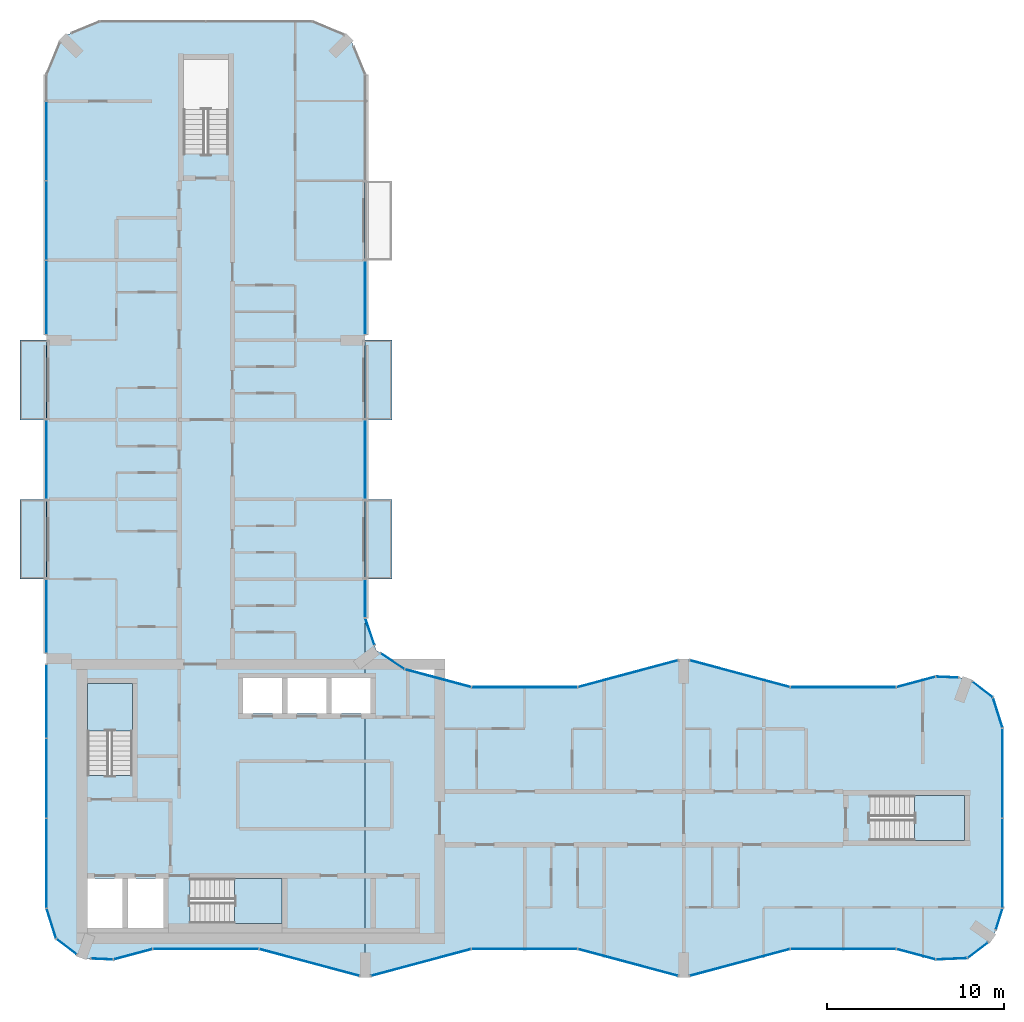
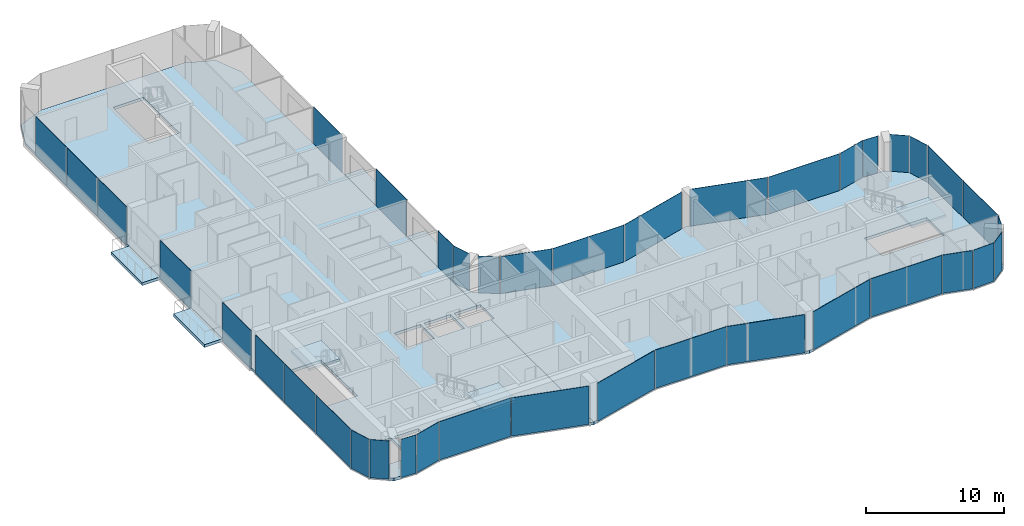
# One storey, part 8 of 17: 39 plates, 9 slabs, 37 elements without a shape of their own.
"""IFC4 building model written with IfcOpenShell, lengths in metres."""

from ifc_helpers import new_model, si_unit, direction, frame, origin, origin_2d, place, context, subcontext, project, spatial, polyline, rectangle, outline, extrude, material, layer, layer_set, type_object, element, aggregate, save


model = new_model("IFC4")

# Units and contexts
model_context = context("Model", 3, precision=1e-05, world=origin(), true_north=direction((0.0, 1.0)))
body_context = subcontext(model_context, "Body", "Model", "MODEL_VIEW")
ifc_project = project(units=[si_unit("LENGTHUNIT", "METRE"), si_unit("AREAUNIT", "SQUARE_METRE"), si_unit("VOLUMEUNIT", "CUBIC_METRE"), si_unit("PLANEANGLEUNIT", "RADIAN"), si_unit("MASSUNIT", "GRAM", prefix="KILO")], contexts=[model_context])

# Site, building, storey
site_placement = place(None, origin())
site = spatial("IfcSite", under=ifc_project, at=site_placement, CompositionType="ELEMENT")
building_placement = place(site_placement, origin())
building = spatial("IfcBuilding", under=site, at=building_placement, Name="Plateau Cross Towers", CompositionType="ELEMENT")
storey_placement = place(building_placement, frame((0.0, 0.0, 146.39990234375)))
storey = spatial("IfcBuildingStorey", under=building, at=storey_placement, Name="L37", CompositionType="ELEMENT", Elevation=146.39990234375)

# Slabs
ifc_material_1 = material(Name="Concrete C40/50", Category="concrete")
ifc_layer_1 = layer(ifc_material_1, 0.25)
ifc_layer_set_1 = layer_set([ifc_layer_1], Name="Concrete C40/50")
slab_type_1 = type_object("IfcSlabType", Name="Balcony slab 250", PredefinedType="FLOOR", material=ifc_layer_set_1)
slab_1_placement = place(storey_placement, frame((0.0, 0.0, -0.25)))
element("IfcSlab", 1, at=slab_1_placement, inside=storey, type_object=slab_type_1, Name="Balcony slab A-BAL-L37-01", PredefinedType="FLOOR", context=body_context, shape_type="SweptSolid", body=[
    extrude(outline(polyline([(0.0, 22.5), (0.0, 27.0), (-1.5, 27.0), (-1.5, 22.5), (0.0, 22.5)])), origin(), (0.0, 0.0, 1.0), 0.25),
])
slab_2_placement = place(storey_placement, frame((0.0, 0.0, -0.25)))
element("IfcSlab", 2, at=slab_2_placement, inside=storey, type_object=slab_type_1, Name="Balcony slab A-BAL-L37-02", PredefinedType="FLOOR", context=body_context, shape_type="SweptSolid", body=[
    extrude(outline(polyline([(0.0, 31.5), (0.0, 36.0), (-1.5, 36.0), (-1.5, 31.5), (0.0, 31.5)])), origin(), (0.0, 0.0, 1.0), 0.25),
])
slab_3_placement = place(storey_placement, frame((0.0, 0.0, -0.25)))
element("IfcSlab", 3, at=slab_3_placement, inside=storey, type_object=slab_type_1, Name="Balcony slab A-BAL-L37-03", PredefinedType="FLOOR", context=body_context, shape_type="SweptSolid", body=[
    extrude(outline(polyline([(19.5, 22.5), (19.5, 27.0), (18.0, 27.0), (18.0, 22.5), (19.5, 22.5)])), origin(), (0.0, 0.0, 1.0), 0.25),
])
slab_4_placement = place(storey_placement, frame((0.0, 0.0, -0.25)))
element("IfcSlab", 4, at=slab_4_placement, inside=storey, type_object=slab_type_1, Name="Balcony slab A-BAL-L37-04", PredefinedType="FLOOR", context=body_context, shape_type="SweptSolid", body=[
    extrude(outline(polyline([(19.5, 31.5), (19.5, 36.0), (18.0, 36.0), (18.0, 31.5), (19.5, 31.5)])), origin(), (0.0, 0.0, 1.0), 0.25),
])

# Curtain wall, plate
ifc_material_2 = material(Name="Dark low-iron glass", Category="glass")
ifc_layer_2 = layer(ifc_material_2, 0.239990234375)
ifc_layer_set_2 = layer_set([ifc_layer_2], Name="Dark low-iron glass")
curtain_wall_type_1 = type_object("IfcCurtainWallType", Name="Curtain wall flush unitised CW-B", PredefinedType="NOTDEFINED", material=ifc_layer_set_2)
curtain_wall_1_placement = place(storey_placement, origin())
curtain_wall_1 = element("IfcCurtainWall", 5, at=curtain_wall_1_placement, inside=storey, type_object=curtain_wall_type_1, Name="ENV/A/L37/A502_10", PredefinedType="NOTDEFINED")
ifc_layer_3 = layer(ifc_material_2, 0.031982421875)
ifc_layer_set_3 = layer_set([ifc_layer_3], Name="Dark low-iron glass")
plate_type_1 = type_object("IfcPlateType", Name="Glass panel 32 flush unitised", PredefinedType="CURTAIN_PANEL", material=ifc_layer_set_3)
plate_1_placement = place(storey_placement, frame((51.125, 1.05078125, -0.1298828125), z_axis=(0.0, 0.0, 1.0), x_axis=(0.999043701491, 0.043722791671, 0.0)))
plate_1 = element("IfcPlate", 6, at=plate_1_placement, type_object=plate_type_1, Name="CW-B panel 1", PredefinedType="CURTAIN_PANEL", context=body_context, shape_type="SweptSolid", body=[
    extrude(rectangle(XDim=1.744140625, YDim=0.031982421875, at=origin_2d()), origin(), (0.0, 0.0, 1.0), 3.3798828125),
])
aggregate(curtain_wall_1, [plate_1])

curtain_wall_2_placement = place(storey_placement, origin())
curtain_wall_2 = element("IfcCurtainWall", 7, at=curtain_wall_2_placement, inside=storey, type_object=curtain_wall_type_1, Name="ENV/A/L37/A520_11", PredefinedType="NOTDEFINED")
plate_2_placement = place(storey_placement, frame((52.60986328125, 1.5380859375, -0.1298828125), z_axis=(0.0, 0.0, 1.0), x_axis=(0.793315514529, 0.608810721331, 0.0)))
plate_2 = element("IfcPlate", 8, at=plate_2_placement, type_object=plate_type_1, Name="CW-B panel 1", PredefinedType="CURTAIN_PANEL", context=body_context, shape_type="SweptSolid", body=[
    extrude(rectangle(XDim=1.41162109375, YDim=0.031982421875, at=origin_2d()), origin(), (0.0, 0.0, 1.0), 3.3798828125),
])
aggregate(curtain_wall_2, [plate_2])

curtain_wall_3_placement = place(storey_placement, origin())
curtain_wall_3 = element("IfcCurtainWall", 9, at=curtain_wall_3_placement, inside=storey, type_object=curtain_wall_type_1, Name="ENV/A/L37/A536_27", PredefinedType="NOTDEFINED")
plate_3_placement = place(storey_placement, frame((53.805419921875, 3.292236328125, -0.1298828125), z_axis=(0.0, 0.0, 1.0), x_axis=(0.300686174994, 0.95372313811, 0.0)))
plate_3 = element("IfcPlate", 10, at=plate_3_placement, type_object=plate_type_1, Name="CW-B panel 1", PredefinedType="CURTAIN_PANEL", context=body_context, shape_type="SweptSolid", body=[
    extrude(rectangle(XDim=1.233642578125, YDim=0.031982421875, at=origin_2d()), origin(), (0.0, 0.0, 1.0), 3.3798828125),
])
aggregate(curtain_wall_3, [plate_3])

# Curtain wall, plates
curtain_wall_4_placement = place(storey_placement, origin())
curtain_wall_4 = element("IfcCurtainWall", 11, at=curtain_wall_4_placement, inside=storey, type_object=curtain_wall_type_1, Name="ENV/A/L37/A540_39", PredefinedType="NOTDEFINED")
plate_4_placement = place(storey_placement, frame((54.0, 6.45458984375, -0.1298828125), z_axis=(0.0, 0.0, 1.0), x_axis=(0.0, 1.0, 0.0)))
plate_4 = element("IfcPlate", 12, at=plate_4_placement, type_object=plate_type_1, Name="CW-B panel 1", PredefinedType="CURTAIN_PANEL", context=body_context, shape_type="SweptSolid", body=[
    extrude(rectangle(XDim=5.03076171875, YDim=0.031982421875, at=origin_2d()), origin(), (0.0, 0.0, 1.0), 3.3798828125),
])
plate_5_placement = place(storey_placement, frame((54.0, 11.54541015625, -0.1298828125), z_axis=(0.0, 0.0, 1.0), x_axis=(0.0, 1.0, 0.0)))
plate_5 = element("IfcPlate", 13, at=plate_5_placement, type_object=plate_type_1, Name="CW-B panel 2", PredefinedType="CURTAIN_PANEL", context=body_context, shape_type="SweptSolid", body=[
    extrude(rectangle(XDim=5.03076171875, YDim=0.031982421875, at=origin_2d()), origin(), (0.0, 0.0, 1.0), 3.3798828125),
])
aggregate(curtain_wall_4, [plate_4, plate_5])

# Curtain wall, plate
curtain_wall_5_placement = place(storey_placement, origin())
curtain_wall_5 = element("IfcCurtainWall", 14, at=curtain_wall_5_placement, inside=storey, type_object=curtain_wall_type_1, Name="ENV/A/L37/A540_141", PredefinedType="NOTDEFINED")
plate_6_placement = place(storey_placement, frame((53.728759765625, 14.951171875, -0.1298828125), z_axis=(0.0, 0.0, 1.0), x_axis=(-0.300686174994, 0.95372313811, 0.0)))
plate_6 = element("IfcPlate", 15, at=plate_6_placement, type_object=plate_type_1, Name="CW-B panel 1", PredefinedType="CURTAIN_PANEL", context=body_context, shape_type="SweptSolid", body=[
    extrude(rectangle(XDim=1.744140625, YDim=0.031982421875, at=origin_2d()), origin(), (0.0, 0.0, 1.0), 3.3798828125),
])
aggregate(curtain_wall_5, [plate_6])

curtain_wall_6_placement = place(storey_placement, origin())
curtain_wall_6 = element("IfcCurtainWall", 16, at=curtain_wall_6_placement, inside=storey, type_object=curtain_wall_type_1, Name="ENV/A/L37/A535_158", PredefinedType="NOTDEFINED")
plate_7_placement = place(storey_placement, frame((52.873779296875, 16.25927734375, -0.1298828125), z_axis=(0.0, 0.0, 1.0), x_axis=(-0.793315514529, 0.608810721331, 0.0)))
plate_7 = element("IfcPlate", 17, at=plate_7_placement, type_object=plate_type_1, Name="CW-B panel 1", PredefinedType="CURTAIN_PANEL", context=body_context, shape_type="SweptSolid", body=[
    extrude(rectangle(XDim=1.41162109375, YDim=0.031982421875, at=origin_2d()), origin(), (0.0, 0.0, 1.0), 3.3798828125),
])
aggregate(curtain_wall_6, [plate_7])

curtain_wall_7_placement = place(storey_placement, origin())
curtain_wall_7 = element("IfcCurtainWall", 18, at=curtain_wall_7_placement, inside=storey, type_object=curtain_wall_type_1, Name="ENV/A/L37/A515_169", PredefinedType="NOTDEFINED")
plate_8_placement = place(storey_placement, frame((50.8701171875, 16.96044921875, -0.1298828125), z_axis=(0.0, 0.0, 1.0), x_axis=(-0.999043701491, 0.043722791671, 0.0)))
plate_8 = element("IfcPlate", 19, at=plate_8_placement, type_object=plate_type_1, Name="CW-B panel 1", PredefinedType="CURTAIN_PANEL", context=body_context, shape_type="SweptSolid", body=[
    extrude(rectangle(XDim=1.233642578125, YDim=0.031982421875, at=origin_2d()), origin(), (0.0, 0.0, 1.0), 3.3798828125),
])
aggregate(curtain_wall_7, [plate_8])

curtain_wall_8_placement = place(storey_placement, origin())
curtain_wall_8 = element("IfcCurtainWall", 20, at=curtain_wall_8_placement, inside=storey, type_object=curtain_wall_type_1, Name="ENV/A/L37/A202_174", PredefinedType="NOTDEFINED")
plate_9_placement = place(storey_placement, frame((19.546630859375, 17.856689453125, -0.1298828125), z_axis=(0.0, 0.0, 1.0), x_axis=(-0.831521253329, 0.555492938984, 0.0)))
plate_9 = element("IfcPlate", 21, at=plate_9_placement, type_object=plate_type_1, Name="CW-B panel 1", PredefinedType="CURTAIN_PANEL", context=body_context, shape_type="SweptSolid", body=[
    extrude(rectangle(XDim=1.56884765625, YDim=0.031982421875, at=origin_2d()), origin(), (0.0, 0.0, 1.0), 3.3798828125),
])
aggregate(curtain_wall_8, [plate_9])

curtain_wall_9_placement = place(storey_placement, origin())
curtain_wall_9 = element("IfcCurtainWall", 22, at=curtain_wall_9_placement, inside=storey, type_object=curtain_wall_type_1, Name="ENV/A/L37/A185_188", PredefinedType="NOTDEFINED")
plate_10_placement = place(storey_placement, frame((18.26171875, 19.531005859375, -0.1298828125), z_axis=(0.0, 0.0, 1.0), x_axis=(-0.321469161574, 0.94692004845, 0.0)))
plate_10 = element("IfcPlate", 23, at=plate_10_placement, type_object=plate_type_1, Name="CW-B panel 1", PredefinedType="CURTAIN_PANEL", context=body_context, shape_type="SweptSolid", body=[
    extrude(rectangle(XDim=1.56884765625, YDim=0.031982421875, at=origin_2d()), origin(), (0.0, 0.0, 1.0), 3.3798828125),
])
aggregate(curtain_wall_9, [plate_10])

curtain_wall_10_placement = place(storey_placement, origin())
curtain_wall_10 = element("IfcCurtainWall", 24, at=curtain_wall_10_placement, inside=storey, type_object=curtain_wall_type_1, Name="ENV/A/L37/A180_203", PredefinedType="NOTDEFINED")
plate_11_placement = place(storey_placement, frame((18.0, 21.396240234375, -0.1298828125), z_axis=(0.0, 0.0, 1.0), x_axis=(0.0, 1.0, 0.0)))
plate_11 = element("IfcPlate", 25, at=plate_11_placement, type_object=plate_type_1, Name="CW-B panel 1", PredefinedType="CURTAIN_PANEL", context=body_context, shape_type="SweptSolid", body=[
    extrude(rectangle(XDim=2.127685546875, YDim=0.031982421875, at=origin_2d()), origin(), (0.0, 0.0, 1.0), 3.3798828125),
])
aggregate(curtain_wall_10, [plate_11])

curtain_wall_11_placement = place(storey_placement, origin())
curtain_wall_11 = element("IfcCurtainWall", 26, at=curtain_wall_11_placement, inside=storey, type_object=curtain_wall_type_1, Name="ENV/A/L37/A180_270", PredefinedType="NOTDEFINED")
plate_12_placement = place(storey_placement, frame((18.0, 29.25, -0.1298828125), z_axis=(0.0, 0.0, 1.0), x_axis=(0.0, 1.0, 0.0)))
plate_12 = element("IfcPlate", 27, at=plate_12_placement, type_object=plate_type_1, Name="CW-B panel 1", PredefinedType="CURTAIN_PANEL", context=body_context, shape_type="SweptSolid", body=[
    extrude(rectangle(XDim=4.419921875, YDim=0.031982421875, at=origin_2d()), origin(), (0.0, 0.0, 1.0), 3.3798828125),
])
aggregate(curtain_wall_11, [plate_12])

curtain_wall_12_placement = place(storey_placement, origin())
curtain_wall_12 = element("IfcCurtainWall", 28, at=curtain_wall_12_placement, inside=storey, type_object=curtain_wall_type_1, Name="ENV/A/L37/A180_363", PredefinedType="NOTDEFINED")
plate_13_placement = place(storey_placement, frame((18.0, 38.39501953125, -0.1298828125), z_axis=(0.0, 0.0, 1.0), x_axis=(0.0, 1.0, 0.0)))
plate_13 = element("IfcPlate", 29, at=plate_13_placement, type_object=plate_type_1, Name="CW-B panel 1", PredefinedType="CURTAIN_PANEL", context=body_context, shape_type="SweptSolid", body=[
    extrude(rectangle(XDim=4.1298828125, YDim=0.031982421875, at=origin_2d()), origin(), (0.0, 0.0, 1.0), 3.3798828125),
])
aggregate(curtain_wall_12, [plate_13])

# Curtain wall, plates
curtain_wall_13_placement = place(storey_placement, origin())
curtain_wall_13 = element("IfcCurtainWall", 30, at=curtain_wall_13_placement, inside=storey, type_object=curtain_wall_type_1, Name="ENV/A/L37/A0_510", PredefinedType="NOTDEFINED")
plate_14_placement = place(storey_placement, frame((0.0, 47.25, -0.1298828125), z_axis=(0.0, 0.0, 1.0), x_axis=(0.0, -1.0, 0.0)))
plate_14 = element("IfcPlate", 31, at=plate_14_placement, type_object=plate_type_1, Name="CW-B panel 2", PredefinedType="CURTAIN_PANEL", context=body_context, shape_type="SweptSolid", body=[
    extrude(rectangle(XDim=4.43994140625, YDim=0.031982421875, at=origin_2d()), origin(), (0.0, 0.0, 1.0), 3.3798828125),
])
plate_15_placement = place(storey_placement, frame((0.0, 42.75, -0.1298828125), z_axis=(0.0, 0.0, 1.0), x_axis=(0.0, -1.0, 0.0)))
plate_15 = element("IfcPlate", 32, at=plate_15_placement, type_object=plate_type_1, Name="CW-B panel 3", PredefinedType="CURTAIN_PANEL", context=body_context, shape_type="SweptSolid", body=[
    extrude(rectangle(XDim=4.43994140625, YDim=0.031982421875, at=origin_2d()), origin(), (0.0, 0.0, 1.0), 3.3798828125),
])
plate_16_placement = place(storey_placement, frame((0.0, 38.39990234375, -0.1298828125), z_axis=(0.0, 0.0, 1.0), x_axis=(0.0, -1.0, 0.0)))
plate_16 = element("IfcPlate", 33, at=plate_16_placement, type_object=plate_type_1, Name="CW-B panel 4", PredefinedType="CURTAIN_PANEL", context=body_context, shape_type="SweptSolid", body=[
    extrude(rectangle(XDim=4.139892578125, YDim=0.031982421875, at=origin_2d()), origin(), (0.0, 0.0, 1.0), 3.3798828125),
])
aggregate(curtain_wall_13, [plate_14, plate_15, plate_16])

# Curtain wall, plate
curtain_wall_14_placement = place(storey_placement, origin())
curtain_wall_14 = element("IfcCurtainWall", 34, at=curtain_wall_14_placement, inside=storey, type_object=curtain_wall_type_1, Name="ENV/A/L37/A0_315", PredefinedType="NOTDEFINED")
plate_17_placement = place(storey_placement, frame((0.0, 29.25, -0.1298828125), z_axis=(0.0, 0.0, 1.0), x_axis=(0.0, -1.0, 0.0)))
plate_17 = element("IfcPlate", 35, at=plate_17_placement, type_object=plate_type_1, Name="CW-B panel 1", PredefinedType="CURTAIN_PANEL", context=body_context, shape_type="SweptSolid", body=[
    extrude(rectangle(XDim=4.419921875, YDim=0.031982421875, at=origin_2d()), origin(), (0.0, 0.0, 1.0), 3.3798828125),
])
aggregate(curtain_wall_14, [plate_17])

curtain_wall_15_placement = place(storey_placement, origin())
curtain_wall_15 = element("IfcCurtainWall", 36, at=curtain_wall_15_placement, inside=storey, type_object=curtain_wall_type_1, Name="ENV/A/L37/A0_225", PredefinedType="NOTDEFINED")
plate_18_placement = place(storey_placement, frame((0.0, 20.39501953125, -0.1298828125), z_axis=(0.0, 0.0, 1.0), x_axis=(0.0, -1.0, 0.0)))
plate_18 = element("IfcPlate", 37, at=plate_18_placement, type_object=plate_type_1, Name="CW-B panel 1", PredefinedType="CURTAIN_PANEL", context=body_context, shape_type="SweptSolid", body=[
    extrude(rectangle(XDim=4.1298828125, YDim=0.031982421875, at=origin_2d()), origin(), (0.0, 0.0, 1.0), 3.3798828125),
])
aggregate(curtain_wall_15, [plate_18])

# Curtain wall, plates
curtain_wall_16_placement = place(storey_placement, origin())
curtain_wall_16 = element("IfcCurtainWall", 38, at=curtain_wall_16_placement, inside=storey, type_object=curtain_wall_type_1, Name="ENV/A/L37/A0_177", PredefinedType="NOTDEFINED")
plate_19_placement = place(storey_placement, frame((0.0, 15.60009765625, -0.1298828125), z_axis=(0.0, 0.0, 1.0), x_axis=(0.0, -1.0, 0.0)))
plate_19 = element("IfcPlate", 39, at=plate_19_placement, type_object=plate_type_1, Name="CW-B panel 1", PredefinedType="CURTAIN_PANEL", context=body_context, shape_type="SweptSolid", body=[
    extrude(rectangle(XDim=4.139892578125, YDim=0.031982421875, at=origin_2d()), origin(), (0.0, 0.0, 1.0), 3.3798828125),
])
plate_20_placement = place(storey_placement, frame((0.0, 11.25, -0.1298828125), z_axis=(0.0, 0.0, 1.0), x_axis=(0.0, -1.0, 0.0)))
plate_20 = element("IfcPlate", 40, at=plate_20_placement, type_object=plate_type_1, Name="CW-B panel 2", PredefinedType="CURTAIN_PANEL", context=body_context, shape_type="SweptSolid", body=[
    extrude(rectangle(XDim=4.43994140625, YDim=0.031982421875, at=origin_2d()), origin(), (0.0, 0.0, 1.0), 3.3798828125),
])
plate_21_placement = place(storey_placement, frame((0.0, 6.45458984375, -0.1298828125), z_axis=(0.0, 0.0, 1.0), x_axis=(0.0, -1.0, 0.0)))
plate_21 = element("IfcPlate", 41, at=plate_21_placement, type_object=plate_type_1, Name="CW-B panel 3", PredefinedType="CURTAIN_PANEL", context=body_context, shape_type="SweptSolid", body=[
    extrude(rectangle(XDim=5.03076171875, YDim=0.031982421875, at=origin_2d()), origin(), (0.0, 0.0, 1.0), 3.3798828125),
])
aggregate(curtain_wall_16, [plate_19, plate_20, plate_21])

# Curtain wall, plate
curtain_wall_17_placement = place(storey_placement, origin())
curtain_wall_17 = element("IfcCurtainWall", 42, at=curtain_wall_17_placement, inside=storey, type_object=curtain_wall_type_1, Name="ENV/A/L37/A0_39", PredefinedType="NOTDEFINED")
plate_22_placement = place(storey_placement, frame((0.271240234375, 3.048828125, -0.1298828125), z_axis=(0.0, 0.0, 1.0), x_axis=(0.300686174994, -0.95372313811, 0.0)))
plate_22 = element("IfcPlate", 43, at=plate_22_placement, type_object=plate_type_1, Name="CW-B panel 1", PredefinedType="CURTAIN_PANEL", context=body_context, shape_type="SweptSolid", body=[
    extrude(rectangle(XDim=1.744140625, YDim=0.031982421875, at=origin_2d()), origin(), (0.0, 0.0, 1.0), 3.3798828125),
])
aggregate(curtain_wall_17, [plate_22])

curtain_wall_18_placement = place(storey_placement, origin())
curtain_wall_18 = element("IfcCurtainWall", 44, at=curtain_wall_18_placement, inside=storey, type_object=curtain_wall_type_1, Name="ENV/A/L37/A5_22", PredefinedType="NOTDEFINED")
plate_23_placement = place(storey_placement, frame((1.126220703125, 1.74072265625, -0.1298828125), z_axis=(0.0, 0.0, 1.0), x_axis=(0.793315514529, -0.608810721331, 0.0)))
plate_23 = element("IfcPlate", 45, at=plate_23_placement, type_object=plate_type_1, Name="CW-B panel 1", PredefinedType="CURTAIN_PANEL", context=body_context, shape_type="SweptSolid", body=[
    extrude(rectangle(XDim=1.41162109375, YDim=0.031982421875, at=origin_2d()), origin(), (0.0, 0.0, 1.0), 3.3798828125),
])
aggregate(curtain_wall_18, [plate_23])

curtain_wall_19_placement = place(storey_placement, origin())
curtain_wall_19 = element("IfcCurtainWall", 46, at=curtain_wall_19_placement, inside=storey, type_object=curtain_wall_type_1, Name="ENV/A/L37/A25_11", PredefinedType="NOTDEFINED")
plate_24_placement = place(storey_placement, frame((3.1298828125, 1.03955078125, -0.1298828125), z_axis=(0.0, 0.0, 1.0), x_axis=(0.999043701491, -0.043722791671, 0.0)))
plate_24 = element("IfcPlate", 47, at=plate_24_placement, type_object=plate_type_1, Name="CW-B panel 1", PredefinedType="CURTAIN_PANEL", context=body_context, shape_type="SweptSolid", body=[
    extrude(rectangle(XDim=1.233642578125, YDim=0.031982421875, at=origin_2d()), origin(), (0.0, 0.0, 1.0), 3.3798828125),
])
aggregate(curtain_wall_19, [plate_24])

ifc_layer_4 = layer(ifc_material_2, 0.260009765625)
ifc_layer_set_4 = layer_set([ifc_layer_4], Name="Dark low-iron glass")
curtain_wall_type_2 = type_object("IfcCurtainWallType", Name="Curtain wall fluted unitised CW-A", PredefinedType="NOTDEFINED", material=ifc_layer_set_4)
curtain_wall_20_placement = place(storey_placement, origin())
curtain_wall_20 = element("IfcCurtainWall", 48, at=curtain_wall_20_placement, inside=storey, type_object=curtain_wall_type_2, Name="ENV/A/L37/A38_10", PredefinedType="NOTDEFINED")
ifc_layer_5 = layer(ifc_material_2, 0.035888671875)
ifc_layer_set_5 = layer_set([ifc_layer_5], Name="Dark low-iron glass")
plate_type_2 = type_object("IfcPlateType", Name="Glass panel 36 fluted unitised", PredefinedType="CURTAIN_PANEL", material=ifc_layer_set_5)
plate_25_placement = place(storey_placement, frame((4.887939453125, 1.30908203125, -0.1298828125), z_axis=(0.0, 0.0, 1.0), x_axis=(0.965957962328, 0.258699081978, 0.0)))
plate_25 = element("IfcPlate", 49, at=plate_25_placement, type_object=plate_type_2, Name="CW-A panel 1", PredefinedType="CURTAIN_PANEL", context=body_context, shape_type="SweptSolid", body=[
    extrude(rectangle(XDim=2.2421875, YDim=0.035888671875, at=origin_2d()), origin(), (0.0, 0.0, 1.0), 3.3798828125),
])
aggregate(curtain_wall_20, [plate_25])

curtain_wall_21_placement = place(storey_placement, origin())
curtain_wall_21 = element("IfcCurtainWall", 50, at=curtain_wall_21_placement, inside=storey, type_object=curtain_wall_type_2, Name="ENV/A/L37/A60_16", PredefinedType="NOTDEFINED")
plate_26_placement = place(storey_placement, frame((9.0, 1.60693359375, -0.1298828125), z_axis=(0.0, 0.0, 1.0), x_axis=(1.0, 0.0, 0.0)))
plate_26 = element("IfcPlate", 51, at=plate_26_placement, type_object=plate_type_2, Name="CW-A panel 1", PredefinedType="CURTAIN_PANEL", context=body_context, shape_type="SweptSolid", body=[
    extrude(rectangle(XDim=5.93994140625, YDim=0.035888671875, at=origin_2d()), origin(), (0.0, 0.0, 1.0), 3.3798828125),
])
aggregate(curtain_wall_21, [plate_26])

curtain_wall_22_placement = place(storey_placement, origin())
curtain_wall_22 = element("IfcCurtainWall", 52, at=curtain_wall_22_placement, inside=storey, type_object=curtain_wall_type_2, Name="ENV/A/L37/A120_16", PredefinedType="NOTDEFINED")
plate_27_placement = place(storey_placement, frame((14.841064453125, 0.845947265625, -0.1298828125), z_axis=(0.0, 0.0, 1.0), x_axis=(0.965957983404, -0.258699003279, 0.0)))
plate_27 = element("IfcPlate", 53, at=plate_27_placement, type_object=plate_type_2, Name="CW-A panel 1", PredefinedType="CURTAIN_PANEL", context=body_context, shape_type="SweptSolid", body=[
    extrude(rectangle(XDim=5.822265625, YDim=0.035888671875, at=origin_2d()), origin(), (0.0, 0.0, 1.0), 3.3798828125),
])
aggregate(curtain_wall_22, [plate_27])

curtain_wall_23_placement = place(storey_placement, origin())
curtain_wall_23 = element("IfcCurtainWall", 54, at=curtain_wall_23_placement, inside=storey, type_object=curtain_wall_type_2, Name="ENV/A/L37/A183_1", PredefinedType="NOTDEFINED")
plate_28_placement = place(storey_placement, frame((21.158935546875, 0.845947265625, -0.1298828125), z_axis=(0.0, 0.0, 1.0), x_axis=(0.965957983404, 0.258699003279, 0.0)))
plate_28 = element("IfcPlate", 55, at=plate_28_placement, type_object=plate_type_2, Name="CW-A panel 1", PredefinedType="CURTAIN_PANEL", context=body_context, shape_type="SweptSolid", body=[
    extrude(rectangle(XDim=5.822265625, YDim=0.035888671875, at=origin_2d()), origin(), (0.0, 0.0, 1.0), 3.3798828125),
])
aggregate(curtain_wall_23, [plate_28])

curtain_wall_24_placement = place(storey_placement, origin())
curtain_wall_24 = element("IfcCurtainWall", 56, at=curtain_wall_24_placement, inside=storey, type_object=curtain_wall_type_2, Name="ENV/A/L37/A240_16", PredefinedType="NOTDEFINED")
plate_29_placement = place(storey_placement, frame((27.0, 1.60693359375, -0.1298828125), z_axis=(0.0, 0.0, 1.0), x_axis=(1.0, 0.0, 0.0)))
plate_29 = element("IfcPlate", 57, at=plate_29_placement, type_object=plate_type_2, Name="CW-A panel 1", PredefinedType="CURTAIN_PANEL", context=body_context, shape_type="SweptSolid", body=[
    extrude(rectangle(XDim=5.93994140625, YDim=0.035888671875, at=origin_2d()), origin(), (0.0, 0.0, 1.0), 3.3798828125),
])
aggregate(curtain_wall_24, [plate_29])

curtain_wall_25_placement = place(storey_placement, origin())
curtain_wall_25 = element("IfcCurtainWall", 58, at=curtain_wall_25_placement, inside=storey, type_object=curtain_wall_type_2, Name="ENV/A/L37/A300_16", PredefinedType="NOTDEFINED")
plate_30_placement = place(storey_placement, frame((32.841064453125, 0.845947265625, -0.1298828125), z_axis=(0.0, 0.0, 1.0), x_axis=(0.965957983404, -0.258699003279, 0.0)))
plate_30 = element("IfcPlate", 59, at=plate_30_placement, type_object=plate_type_2, Name="CW-A panel 1", PredefinedType="CURTAIN_PANEL", context=body_context, shape_type="SweptSolid", body=[
    extrude(rectangle(XDim=5.822265625, YDim=0.035888671875, at=origin_2d()), origin(), (0.0, 0.0, 1.0), 3.3798828125),
])
aggregate(curtain_wall_25, [plate_30])

curtain_wall_26_placement = place(storey_placement, origin())
curtain_wall_26 = element("IfcCurtainWall", 60, at=curtain_wall_26_placement, inside=storey, type_object=curtain_wall_type_2, Name="ENV/A/L37/A363_1", PredefinedType="NOTDEFINED")
plate_31_placement = place(storey_placement, frame((39.158935546875, 0.845947265625, -0.1298828125), z_axis=(0.0, 0.0, 1.0), x_axis=(0.965957983404, 0.258699003279, 0.0)))
plate_31 = element("IfcPlate", 61, at=plate_31_placement, type_object=plate_type_2, Name="CW-A panel 1", PredefinedType="CURTAIN_PANEL", context=body_context, shape_type="SweptSolid", body=[
    extrude(rectangle(XDim=5.822265625, YDim=0.035888671875, at=origin_2d()), origin(), (0.0, 0.0, 1.0), 3.3798828125),
])
aggregate(curtain_wall_26, [plate_31])

curtain_wall_27_placement = place(storey_placement, origin())
curtain_wall_27 = element("IfcCurtainWall", 62, at=curtain_wall_27_placement, inside=storey, type_object=curtain_wall_type_2, Name="ENV/A/L37/A420_16", PredefinedType="NOTDEFINED")
plate_32_placement = place(storey_placement, frame((45.0, 1.60693359375, -0.1298828125), z_axis=(0.0, 0.0, 1.0), x_axis=(1.0, 0.0, 0.0)))
plate_32 = element("IfcPlate", 63, at=plate_32_placement, type_object=plate_type_2, Name="CW-A panel 1", PredefinedType="CURTAIN_PANEL", context=body_context, shape_type="SweptSolid", body=[
    extrude(rectangle(XDim=5.93994140625, YDim=0.035888671875, at=origin_2d()), origin(), (0.0, 0.0, 1.0), 3.3798828125),
])
aggregate(curtain_wall_27, [plate_32])

curtain_wall_28_placement = place(storey_placement, origin())
curtain_wall_28 = element("IfcCurtainWall", 64, at=curtain_wall_28_placement, inside=storey, type_object=curtain_wall_type_2, Name="ENV/A/L37/A480_16", PredefinedType="NOTDEFINED")
plate_33_placement = place(storey_placement, frame((49.112060546875, 1.30908203125, -0.1298828125), z_axis=(0.0, 0.0, 1.0), x_axis=(0.965957962328, -0.258699081978, 0.0)))
plate_33 = element("IfcPlate", 65, at=plate_33_placement, type_object=plate_type_2, Name="CW-A panel 1", PredefinedType="CURTAIN_PANEL", context=body_context, shape_type="SweptSolid", body=[
    extrude(rectangle(XDim=2.2421875, YDim=0.035888671875, at=origin_2d()), origin(), (0.0, 0.0, 1.0), 3.3798828125),
])
aggregate(curtain_wall_28, [plate_33])

curtain_wall_29_placement = place(storey_placement, origin())
curtain_wall_29 = element("IfcCurtainWall", 66, at=curtain_wall_29_placement, inside=storey, type_object=curtain_wall_type_2, Name="ENV/A/L37/A502_170", PredefinedType="NOTDEFINED")
plate_34_placement = place(storey_placement, frame((49.112060546875, 16.69091796875, -0.1298828125), z_axis=(0.0, 0.0, 1.0), x_axis=(-0.965957962328, -0.258699081978, 0.0)))
plate_34 = element("IfcPlate", 67, at=plate_34_placement, type_object=plate_type_2, Name="CW-A panel 1", PredefinedType="CURTAIN_PANEL", context=body_context, shape_type="SweptSolid", body=[
    extrude(rectangle(XDim=2.2421875, YDim=0.035888671875, at=origin_2d()), origin(), (0.0, 0.0, 1.0), 3.3798828125),
])
aggregate(curtain_wall_29, [plate_34])

curtain_wall_30_placement = place(storey_placement, origin())
curtain_wall_30 = element("IfcCurtainWall", 68, at=curtain_wall_30_placement, inside=storey, type_object=curtain_wall_type_2, Name="ENV/A/L37/A480_164", PredefinedType="NOTDEFINED")
plate_35_placement = place(storey_placement, frame((45.0, 16.39306640625, -0.1298828125), z_axis=(0.0, 0.0, 1.0), x_axis=(-1.0, 0.0, 0.0)))
plate_35 = element("IfcPlate", 69, at=plate_35_placement, type_object=plate_type_2, Name="CW-A panel 1", PredefinedType="CURTAIN_PANEL", context=body_context, shape_type="SweptSolid", body=[
    extrude(rectangle(XDim=5.93994140625, YDim=0.035888671875, at=origin_2d()), origin(), (0.0, 0.0, 1.0), 3.3798828125),
])
aggregate(curtain_wall_30, [plate_35])

curtain_wall_31_placement = place(storey_placement, origin())
curtain_wall_31 = element("IfcCurtainWall", 70, at=curtain_wall_31_placement, inside=storey, type_object=curtain_wall_type_2, Name="ENV/A/L37/A420_164", PredefinedType="NOTDEFINED")
plate_36_placement = place(storey_placement, frame((39.158935546875, 17.154052734375, -0.1298828125), z_axis=(0.0, 0.0, 1.0), x_axis=(-0.965957983404, 0.258699003279, 0.0)))
plate_36 = element("IfcPlate", 71, at=plate_36_placement, type_object=plate_type_2, Name="CW-A panel 1", PredefinedType="CURTAIN_PANEL", context=body_context, shape_type="SweptSolid", body=[
    extrude(rectangle(XDim=5.822265625, YDim=0.035888671875, at=origin_2d()), origin(), (0.0, 0.0, 1.0), 3.3798828125),
])
aggregate(curtain_wall_31, [plate_36])

curtain_wall_32_placement = place(storey_placement, origin())
curtain_wall_32 = element("IfcCurtainWall", 72, at=curtain_wall_32_placement, inside=storey, type_object=curtain_wall_type_2, Name="ENV/A/L37/A357_179", PredefinedType="NOTDEFINED")
plate_37_placement = place(storey_placement, frame((32.841064453125, 17.154052734375, -0.1298828125), z_axis=(0.0, 0.0, 1.0), x_axis=(-0.965957983404, -0.258699003279, 0.0)))
plate_37 = element("IfcPlate", 73, at=plate_37_placement, type_object=plate_type_2, Name="CW-A panel 1", PredefinedType="CURTAIN_PANEL", context=body_context, shape_type="SweptSolid", body=[
    extrude(rectangle(XDim=5.822265625, YDim=0.035888671875, at=origin_2d()), origin(), (0.0, 0.0, 1.0), 3.3798828125),
])
aggregate(curtain_wall_32, [plate_37])

curtain_wall_33_placement = place(storey_placement, origin())
curtain_wall_33 = element("IfcCurtainWall", 74, at=curtain_wall_33_placement, inside=storey, type_object=curtain_wall_type_2, Name="ENV/A/L37/A300_164", PredefinedType="NOTDEFINED")
plate_38_placement = place(storey_placement, frame((27.0, 16.39306640625, -0.1298828125), z_axis=(0.0, 0.0, 1.0), x_axis=(-1.0, 0.0, 0.0)))
plate_38 = element("IfcPlate", 75, at=plate_38_placement, type_object=plate_type_2, Name="CW-A panel 1", PredefinedType="CURTAIN_PANEL", context=body_context, shape_type="SweptSolid", body=[
    extrude(rectangle(XDim=5.93994140625, YDim=0.035888671875, at=origin_2d()), origin(), (0.0, 0.0, 1.0), 3.3798828125),
])
aggregate(curtain_wall_33, [plate_38])

curtain_wall_34_placement = place(storey_placement, origin())
curtain_wall_34 = element("IfcCurtainWall", 76, at=curtain_wall_34_placement, inside=storey, type_object=curtain_wall_type_2, Name="ENV/A/L37/A240_164", PredefinedType="NOTDEFINED")
plate_39_placement = place(storey_placement, frame((22.112060546875, 16.898681640625, -0.1298828125), z_axis=(0.0, 0.0, 1.0), x_axis=(-0.965957995816, 0.258698956933, 0.0)))
plate_39 = element("IfcPlate", 77, at=plate_39_placement, type_object=plate_type_2, Name="CW-A panel 1", PredefinedType="CURTAIN_PANEL", context=body_context, shape_type="SweptSolid", body=[
    extrude(rectangle(XDim=3.84912109375, YDim=0.035888671875, at=origin_2d()), origin(), (0.0, 0.0, 1.0), 3.3798828125),
])
aggregate(curtain_wall_34, [plate_39])

# Slabs
ifc_layer_6 = layer(ifc_material_1, 0.25)
ifc_layer_set_6 = layer_set([ifc_layer_6], Name="Concrete C40/50")
slab_type_2 = type_object("IfcSlabType", Name="Post-tensioned flat plate slab 250", PredefinedType="FLOOR", material=ifc_layer_set_6)
slab_5_placement = place(storey_placement, frame((0.0, 0.0, -0.25)))
element("IfcSlab", 78, at=slab_5_placement, inside=storey, type_object=slab_type_2, Name="SL-A-L37 1", PredefinedType="FLOOR", context=body_context, shape_type="SweptSolid", body=[
    extrude(outline(polyline([(0.54248046875, 2.1884765625), (0.0, 3.9091796875), (0.0, 51.0), (0.878662109375, 53.121337890625), (3.0, 54.0), (15.0, 54.0), (17.121337890625, 53.121337890625), (18.0, 51.0), (18.0, 20.30224609375), (18.0, 16.89990234375), (16.10009765625, 16.89990234375), (16.10009765625, 14.89990234375), (18.0, 14.89990234375), (18.0, 0.0), (12.0, 1.60693359375), (6.0, 1.60693359375), (3.776123046875, 1.01123046875), (1.9736328125, 1.090087890625), (0.54248046875, 2.1884765625)]), holes=[polyline([(2.300048828125, 5.60009765625), (2.300048828125, 2.800048828125), (4.300048828125, 2.800048828125), (4.300048828125, 5.60009765625), (2.300048828125, 5.60009765625)]), polyline([(4.60009765625, 5.60009765625), (4.60009765625, 2.800048828125), (6.60009765625, 2.800048828125), (6.60009765625, 5.60009765625), (4.60009765625, 5.60009765625)]), polyline([(8.10009765625, 5.60009765625), (8.10009765625, 3.050048828125), (13.300048828125, 3.050048828125), (13.300048828125, 5.60009765625), (8.10009765625, 5.60009765625)]), polyline([(2.300048828125, 11.39990234375), (4.85009765625, 11.39990234375), (4.85009765625, 16.60009765625), (2.300048828125, 16.60009765625), (2.300048828125, 11.39990234375)]), polyline([(11.10009765625, 16.89990234375), (11.10009765625, 14.89990234375), (13.300048828125, 14.89990234375), (13.300048828125, 16.89990234375), (11.10009765625, 16.89990234375)]), polyline([(13.60009765625, 16.89990234375), (13.60009765625, 14.89990234375), (15.800048828125, 14.89990234375), (15.800048828125, 16.89990234375), (13.60009765625, 16.89990234375)]), polyline([(7.72509765625, 51.699951171875), (7.72509765625, 46.5), (10.27490234375, 46.5), (10.27490234375, 51.699951171875), (7.72509765625, 51.699951171875)])]), origin(), (0.0, 0.0, 1.0), 0.25),
])
slab_6_placement = place(storey_placement, frame((0.0, 0.0, -0.25)))
element("IfcSlab", 79, at=slab_6_placement, inside=storey, type_object=slab_type_2, Name="SL-A-L37 2", PredefinedType="FLOOR", context=body_context, shape_type="SweptSolid", body=[
    extrude(outline(polyline([(18.6201171875, 18.475830078125), (20.223876953125, 17.404296875), (24.0, 16.39306640625), (30.0, 16.39306640625), (36.0, 18.0), (42.0, 16.39306640625), (48.0, 16.39306640625), (50.223876953125, 16.98876953125), (52.0263671875, 16.909912109375), (53.45751953125, 15.8115234375), (54.0, 14.0908203125), (54.0, 3.9091796875), (53.45751953125, 2.1884765625), (52.0263671875, 1.090087890625), (50.223876953125, 1.01123046875), (48.0, 1.60693359375), (42.0, 1.60693359375), (36.0, 0.0), (30.0, 1.60693359375), (24.0, 1.60693359375), (18.0, 0.0), (18.0, 14.89990234375), (18.300048828125, 14.89990234375), (18.300048828125, 16.89990234375), (18.0, 16.89990234375), (18.0, 20.30224609375), (18.6201171875, 18.475830078125)]), holes=[polyline([(46.5, 10.27490234375), (46.5, 7.72509765625), (51.699951171875, 7.72509765625), (51.699951171875, 10.27490234375), (46.5, 10.27490234375)])]), origin(), (0.0, 0.0, 1.0), 0.25),
])

# Stair, slab
stair_type = type_object("IfcStairType", Name="ST-TWR", PredefinedType="HALF_TURN_STAIR", material=ifc_material_1)
stair_1_placement = place(storey_placement, origin())
stair_1 = element("IfcStair", 80, at=stair_1_placement, inside=storey, type_object=stair_type, Name="L37 Protected Exit Stair ST-1", PredefinedType="HALF_TURN_STAIR")
ifc_layer_7 = layer(ifc_material_1, 0.199951171875)
ifc_layer_set_7 = layer_set([ifc_layer_7], Name="Concrete C40/50")
slab_type_3 = type_object("IfcSlabType", Name="SL-LANDING", PredefinedType="LANDING", material=ifc_layer_set_7)
slab_7_placement = place(storey_placement, frame((0.0, 0.0, 1.550048828125)))
slab_7 = element("IfcSlab", 81, at=slab_7_placement, type_object=slab_type_3, Name="ST-1 landing 1", PredefinedType="LANDING", context=body_context, shape_type="SweptSolid", body=[
    extrude(outline(polyline([(4.85009765625, 13.919921875), (4.85009765625, 16.60009765625), (2.300048828125, 16.60009765625), (2.300048828125, 13.919921875), (4.85009765625, 13.919921875)])), origin(), (0.0, 0.0, 1.0), 0.199951171875),
])
aggregate(stair_1, [slab_7])

stair_2_placement = place(storey_placement, origin())
stair_2 = element("IfcStair", 82, at=stair_2_placement, inside=storey, type_object=stair_type, Name="L37 Protected Exit Stair ST-2", PredefinedType="HALF_TURN_STAIR")
slab_8_placement = place(storey_placement, frame((0.0, 0.0, 1.550048828125)))
slab_8 = element("IfcSlab", 83, at=slab_8_placement, type_object=slab_type_3, Name="ST-2 landing 1", PredefinedType="LANDING", context=body_context, shape_type="SweptSolid", body=[
    extrude(outline(polyline([(10.6201171875, 3.050048828125), (13.300048828125, 3.050048828125), (13.300048828125, 5.60009765625), (10.6201171875, 5.60009765625), (10.6201171875, 3.050048828125)])), origin(), (0.0, 0.0, 1.0), 0.199951171875),
])
aggregate(stair_2, [slab_8])

stair_3_placement = place(storey_placement, origin())
stair_3 = element("IfcStair", 84, at=stair_3_placement, inside=storey, type_object=stair_type, Name="L37 Protected Exit Stair E", PredefinedType="HALF_TURN_STAIR")
slab_9_placement = place(storey_placement, frame((0.0, 0.0, 1.550048828125)))
slab_9 = element("IfcSlab", 85, at=slab_9_placement, type_object=slab_type_3, Name="ES-E landing 1", PredefinedType="LANDING", context=body_context, shape_type="SweptSolid", body=[
    extrude(outline(polyline([(49.02001953125, 7.72509765625), (51.85009765625, 7.72509765625), (51.85009765625, 10.27490234375), (49.02001953125, 10.27490234375), (49.02001953125, 7.72509765625)])), origin(), (0.0, 0.0, 1.0), 0.199951171875),
])
aggregate(stair_3, [slab_9])

save(model, "model.ifc")
